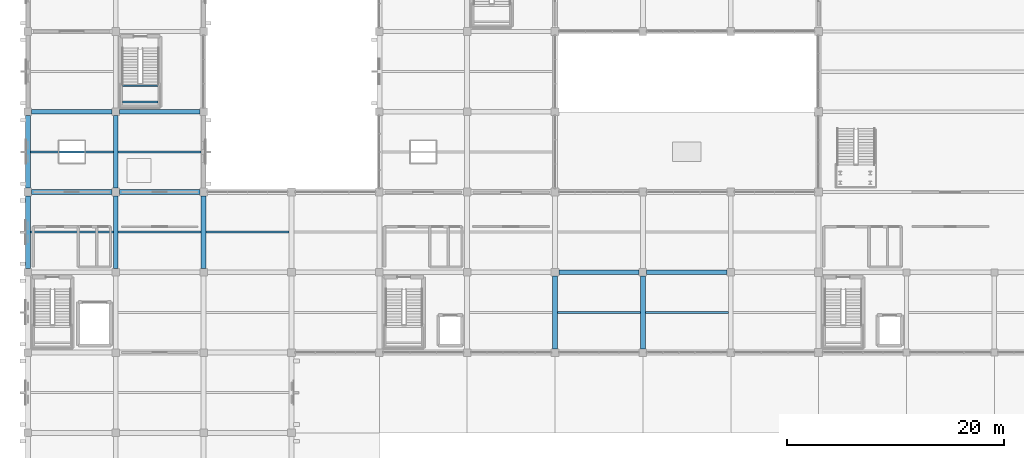
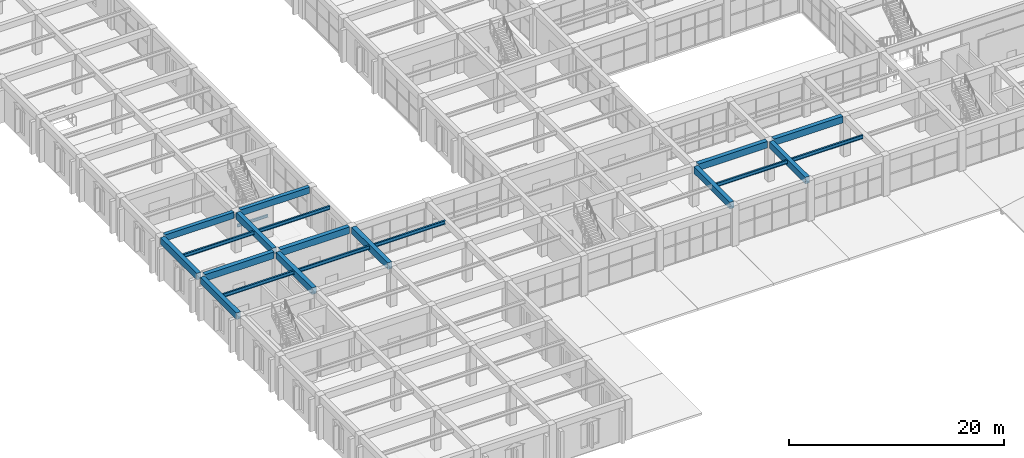
# One storey, part 11 of 161: 22 beams.
"""IFC4 building model written with IfcOpenShell, lengths in metres."""

from ifc_helpers import new_model, si_unit, direction, frame, origin, origin_2d, place, context, subcontext, project, spatial, rectangle, i_section, extrude, material, material_profile, profile_set, type_object, element, save


model = new_model("IFC4")

# Units and contexts
model_context = context("Model", 3, precision=1e-05, world=origin(), true_north=direction((0.0, 1.0)))
body_context = subcontext(model_context, "Body", "Model", "MODEL_VIEW")
ifc_project = project(units=[si_unit("LENGTHUNIT", "METRE"), si_unit("AREAUNIT", "SQUARE_METRE"), si_unit("VOLUMEUNIT", "CUBIC_METRE"), si_unit("PLANEANGLEUNIT", "RADIAN"), si_unit("MASSUNIT", "GRAM", prefix="KILO")], contexts=[model_context])

# Site, building, storey
site_placement = place(None, origin())
site = spatial("IfcSite", under=ifc_project, at=site_placement, CompositionType="ELEMENT")
building_placement = place(site_placement, origin())
building = spatial("IfcBuilding", under=site, at=building_placement, Name="Cimatlan Art Gallery", CompositionType="ELEMENT")
storey_placement = place(building_placement, frame((0.0, 0.0, 5.39990234375)))
storey = spatial("IfcBuildingStorey", under=building, at=storey_placement, Name="L01", CompositionType="ELEMENT", Elevation=5.39990234375)

# Beams
ifc_material_1 = material(Name="Concrete C40/50", Category="concrete")
ifc_material_profile_1 = material_profile(ifc_material_1, rectangle(XDim=0.39990234375, YDim=0.699951171875, at=origin_2d()), Name="RC400X700")
ifc_profile_set_1 = profile_set([ifc_material_profile_1], Name="Concrete C40/50")
beam_type_1 = type_object("IfcBeamType", Name="BM-RC-400X700", PredefinedType="BEAM", material=ifc_profile_set_1)
beam_1_placement = place(storey_placement, frame((2.35009765625, 46.10009765625, 4.210205078125), z_axis=(1.0, 0.0, 0.0), x_axis=(0.0, 1.0, 0.0)))
element("IfcBeam", 1, at=beam_1_placement, inside=storey, type_object=beam_type_1, Name="BM-X-L01-00-06", PredefinedType="BEAM", context=body_context, shape_type="SweptSolid", body=[
    extrude(rectangle(XDim=0.39990234375, YDim=0.699951171875, at=origin_2d()), origin(), (0.0, 0.0, 1.0), 7.39990234375),
])
beam_2_placement = place(storey_placement, frame((10.449951171875, 46.10009765625, 4.210205078125), z_axis=(1.0, 0.0, 0.0), x_axis=(0.0, 1.0, 0.0)))
element("IfcBeam", 2, at=beam_2_placement, inside=storey, type_object=beam_type_1, Name="BM-X-L01-01-06", PredefinedType="BEAM", context=body_context, shape_type="SweptSolid", body=[
    extrude(rectangle(XDim=0.39990234375, YDim=0.699951171875, at=origin_2d()), origin(), (0.0, 0.0, 1.0), 7.400146484375),
])
ifc_material_profile_2 = material_profile(ifc_material_1, rectangle(XDim=0.449951171875, YDim=0.75, at=origin_2d()), Name="RC450X750")
ifc_profile_set_2 = profile_set([ifc_material_profile_2], Name="Concrete C40/50")
beam_type_2 = type_object("IfcBeamType", Name="BM-RC-450X750", PredefinedType="BEAM", material=ifc_profile_set_2)
beam_3_placement = place(storey_placement, frame((2.0, 31.64990234375, 4.18505859375), z_axis=(0.0, 1.0, 0.0), x_axis=(-1.0, 0.0, 0.0)))
element("IfcBeam", 3, at=beam_3_placement, inside=storey, type_object=beam_type_2, Name="BM-Y-L01-00-04", PredefinedType="BEAM", context=body_context, shape_type="SweptSolid", body=[
    extrude(rectangle(XDim=0.449951171875, YDim=0.75, at=origin_2d()), origin(), (0.0, 0.0, 1.0), 6.7001953125),
])
beam_4_placement = place(storey_placement, frame((2.0, 39.050048828125, 4.18505859375), z_axis=(0.0, 1.0, 0.0), x_axis=(-1.0, 0.0, 0.0)))
element("IfcBeam", 4, at=beam_4_placement, inside=storey, type_object=beam_type_2, Name="BM-Y-L01-00-05", PredefinedType="BEAM", context=body_context, shape_type="SweptSolid", body=[
    extrude(rectangle(XDim=0.449951171875, YDim=0.75, at=origin_2d()), origin(), (0.0, 0.0, 1.0), 6.699951171875),
])
beam_5_placement = place(storey_placement, frame((10.10009765625, 31.64990234375, 4.18505859375), z_axis=(0.0, 1.0, 0.0), x_axis=(-1.0, 0.0, 0.0)))
element("IfcBeam", 5, at=beam_5_placement, inside=storey, type_object=beam_type_2, Name="BM-Y-L01-01-04", PredefinedType="BEAM", context=body_context, shape_type="SweptSolid", body=[
    extrude(rectangle(XDim=0.449951171875, YDim=0.75, at=origin_2d()), origin(), (0.0, 0.0, 1.0), 6.7001953125),
])
beam_6_placement = place(storey_placement, frame((10.10009765625, 39.050048828125, 4.18505859375), z_axis=(0.0, 1.0, 0.0), x_axis=(-1.0, 0.0, 0.0)))
element("IfcBeam", 6, at=beam_6_placement, inside=storey, type_object=beam_type_2, Name="BM-Y-L01-01-05", PredefinedType="BEAM", context=body_context, shape_type="SweptSolid", body=[
    extrude(rectangle(XDim=0.449951171875, YDim=0.75, at=origin_2d()), origin(), (0.0, 0.0, 1.0), 6.699951171875),
])
beam_7_placement = place(storey_placement, frame((18.199951171875, 31.64990234375, 4.18505859375), z_axis=(0.0, 1.0, 0.0), x_axis=(-1.0, 0.0, 0.0)))
element("IfcBeam", 7, at=beam_7_placement, inside=storey, type_object=beam_type_2, Name="BM-Y-L01-02-04", PredefinedType="BEAM", context=body_context, shape_type="SweptSolid", body=[
    extrude(rectangle(XDim=0.449951171875, YDim=0.75, at=origin_2d()), origin(), (0.0, 0.0, 1.0), 6.7001953125),
])
for number, where, z_axis, x_axis, name in (
    (8, (50.60009765625, 24.25, 4.18505859375), (0.0, 1.0, 0.0), (-1.0, 0.0, 0.0), "BM-Y-L01-06-03"),
    (9, (58.699951171875, 24.25, 4.18505859375), (0.0, 1.0, 0.0), (-1.0, 0.0, 0.0), "BM-Y-L01-07-03"),
):
    element("IfcBeam", number, at=place(storey_placement, frame(where, z_axis=z_axis, x_axis=x_axis)), inside=storey, type_object=beam_type_2, Name=name, PredefinedType="BEAM", context=body_context, shape_type="SweptSolid", body=[
        extrude(rectangle(XDim=0.449951171875, YDim=0.75, at=origin_2d()), origin(), (0.0, 0.0, 1.0), 6.699951171875),
    ])
beam_8_placement = place(storey_placement, frame((2.35009765625, 38.699951171875, 4.18505859375), z_axis=(1.0, 0.0, 0.0), x_axis=(0.0, 1.0, 0.0)))
element("IfcBeam", 10, at=beam_8_placement, inside=storey, type_object=beam_type_2, Name="BM-X-L01-00-05", PredefinedType="BEAM", context=body_context, shape_type="SweptSolid", body=[
    extrude(rectangle(XDim=0.449951171875, YDim=0.75, at=origin_2d()), origin(), (0.0, 0.0, 1.0), 7.39990234375),
])
for number, where, z_axis, x_axis, name in (
    (11, (10.449951171875, 38.699951171875, 4.18505859375), (1.0, 0.0, 0.0), (0.0, 1.0, 0.0), "BM-X-L01-01-05"),
    (12, (50.949951171875, 31.300048828125, 4.18505859375), (1.0, 0.0, 0.0), (0.0, 1.0, 0.0), "BM-X-L01-06-04"),
):
    element("IfcBeam", number, at=place(storey_placement, frame(where, z_axis=z_axis, x_axis=x_axis)), inside=storey, type_object=beam_type_2, Name=name, PredefinedType="BEAM", context=body_context, shape_type="SweptSolid", body=[
        extrude(rectangle(XDim=0.449951171875, YDim=0.75, at=origin_2d()), origin(), (0.0, 0.0, 1.0), 7.400146484375),
    ])
beam_9_placement = place(storey_placement, frame((59.050048828125, 31.300048828125, 4.18505859375), z_axis=(1.0, 0.0, 0.0), x_axis=(0.0, 1.0, 0.0)))
element("IfcBeam", 13, at=beam_9_placement, inside=storey, type_object=beam_type_2, Name="BM-X-L01-07-04", PredefinedType="BEAM", context=body_context, shape_type="SweptSolid", body=[
    extrude(rectangle(XDim=0.449951171875, YDim=0.75, at=origin_2d()), origin(), (0.0, 0.0, 1.0), 7.39990234375),
])
ifc_material_2 = material(Name="Steel ASTM A992 Grade 50", Category="steel")
ifc_material_profile_3 = material_profile(ifc_material_2, i_section(OverallWidth=0.1650390625, OverallDepth=0.31005859375, WebThickness=0.005859375, FlangeThickness=0.009765625, at=origin_2d()), Name="W12X26")
ifc_profile_set_3 = profile_set([ifc_material_profile_3], Name="Steel ASTM A992 Grade 50")
beam_type_3 = type_object("IfcBeamType", Name="BM-STL-W12X26", PredefinedType="JOIST", material=ifc_profile_set_3)
for number, where, z_axis, x_axis, name in (
    (14, (10.715087890625, 47.0, 2.025146484375), (1.0, 0.0, 0.0), (0.0, 1.0, 0.0), "BM-STR-C7-L01-LH1"),
    (15, (10.715087890625, 48.5, 2.025146484375), (1.0, 0.0, 0.0), (0.0, 1.0, 0.0), "BM-STR-C7-L01-LH2"),
):
    element("IfcBeam", number, at=place(storey_placement, frame(where, z_axis=z_axis, x_axis=x_axis)), inside=storey, type_object=beam_type_3, Name=name, PredefinedType="JOIST", context=body_context, shape_type="SweptSolid", body=[
        extrude(i_section(OverallWidth=0.1650390625, OverallDepth=0.31005859375, WebThickness=0.005859375, FlangeThickness=0.009765625, at=origin_2d()), origin(), (0.0, 0.0, 1.0), 3.289794921875),
    ])
ifc_material_profile_4 = material_profile(ifc_material_2, i_section(OverallWidth=0.177978515625, OverallDepth=0.406982421875, WebThickness=0.0078125, FlangeThickness=0.0126953125, at=origin_2d()), Name="W16X40")
ifc_profile_set_4 = profile_set([ifc_material_profile_4], Name="Steel ASTM A992 Grade 50")
beam_type_4 = type_object("IfcBeamType", Name="BM-STL-W16X40", PredefinedType="JOIST", material=ifc_profile_set_4)
for number, where, z_axis, x_axis, name in (
    (16, (2.22509765625, 35.0, 4.356689453125), (1.0, 0.0, 0.0), (0.0, 1.0, 0.0), "JST-L01-00-04"),
    (17, (2.22509765625, 42.39990234375, 4.356689453125), (1.0, 0.0, 0.0), (0.0, 1.0, 0.0), "JST-L01-00-05"),
):
    element("IfcBeam", number, at=place(storey_placement, frame(where, z_axis=z_axis, x_axis=x_axis)), inside=storey, type_object=beam_type_4, Name=name, PredefinedType="JOIST", context=body_context, shape_type="SweptSolid", body=[
        extrude(i_section(OverallWidth=0.177978515625, OverallDepth=0.406982421875, WebThickness=0.0078125, FlangeThickness=0.0126953125, at=origin_2d()), origin(), (0.0, 0.0, 1.0), 7.64990234375),
    ])
for number, where, z_axis, x_axis, name in (
    (18, (10.324951171875, 35.0, 4.356689453125), (1.0, 0.0, 0.0), (0.0, 1.0, 0.0), "JST-L01-01-04"),
    (19, (10.324951171875, 42.39990234375, 4.356689453125), (1.0, 0.0, 0.0), (0.0, 1.0, 0.0), "JST-L01-01-05"),
):
    element("IfcBeam", number, at=place(storey_placement, frame(where, z_axis=z_axis, x_axis=x_axis)), inside=storey, type_object=beam_type_4, Name=name, PredefinedType="JOIST", context=body_context, shape_type="SweptSolid", body=[
        extrude(i_section(OverallWidth=0.177978515625, OverallDepth=0.406982421875, WebThickness=0.0078125, FlangeThickness=0.0126953125, at=origin_2d()), origin(), (0.0, 0.0, 1.0), 7.650146484375),
    ])
beam_10_placement = place(storey_placement, frame((18.425048828125, 35.0, 4.356689453125), z_axis=(1.0, 0.0, 0.0), x_axis=(0.0, 1.0, 0.0)))
element("IfcBeam", 20, at=beam_10_placement, inside=storey, type_object=beam_type_4, Name="JST-L01-02-04", PredefinedType="JOIST", context=body_context, shape_type="SweptSolid", body=[
    extrude(i_section(OverallWidth=0.177978515625, OverallDepth=0.406982421875, WebThickness=0.0078125, FlangeThickness=0.0126953125, at=origin_2d()), origin(), (0.0, 0.0, 1.0), 7.64990234375),
])
beam_11_placement = place(storey_placement, frame((50.824951171875, 27.60009765625, 4.356689453125), z_axis=(1.0, 0.0, 0.0), x_axis=(0.0, 1.0, 0.0)))
element("IfcBeam", 21, at=beam_11_placement, inside=storey, type_object=beam_type_4, Name="JST-L01-06-03", PredefinedType="JOIST", context=body_context, shape_type="SweptSolid", body=[
    extrude(i_section(OverallWidth=0.177978515625, OverallDepth=0.406982421875, WebThickness=0.0078125, FlangeThickness=0.0126953125, at=origin_2d()), origin(), (0.0, 0.0, 1.0), 7.650146484375),
])
beam_12_placement = place(storey_placement, frame((58.925048828125, 27.60009765625, 4.356689453125), z_axis=(1.0, 0.0, 0.0), x_axis=(0.0, 1.0, 0.0)))
element("IfcBeam", 22, at=beam_12_placement, inside=storey, type_object=beam_type_4, Name="JST-L01-07-03", PredefinedType="JOIST", context=body_context, shape_type="SweptSolid", body=[
    extrude(i_section(OverallWidth=0.177978515625, OverallDepth=0.406982421875, WebThickness=0.0078125, FlangeThickness=0.0126953125, at=origin_2d()), origin(), (0.0, 0.0, 1.0), 7.64990234375),
])

save(model, "model.ifc")
